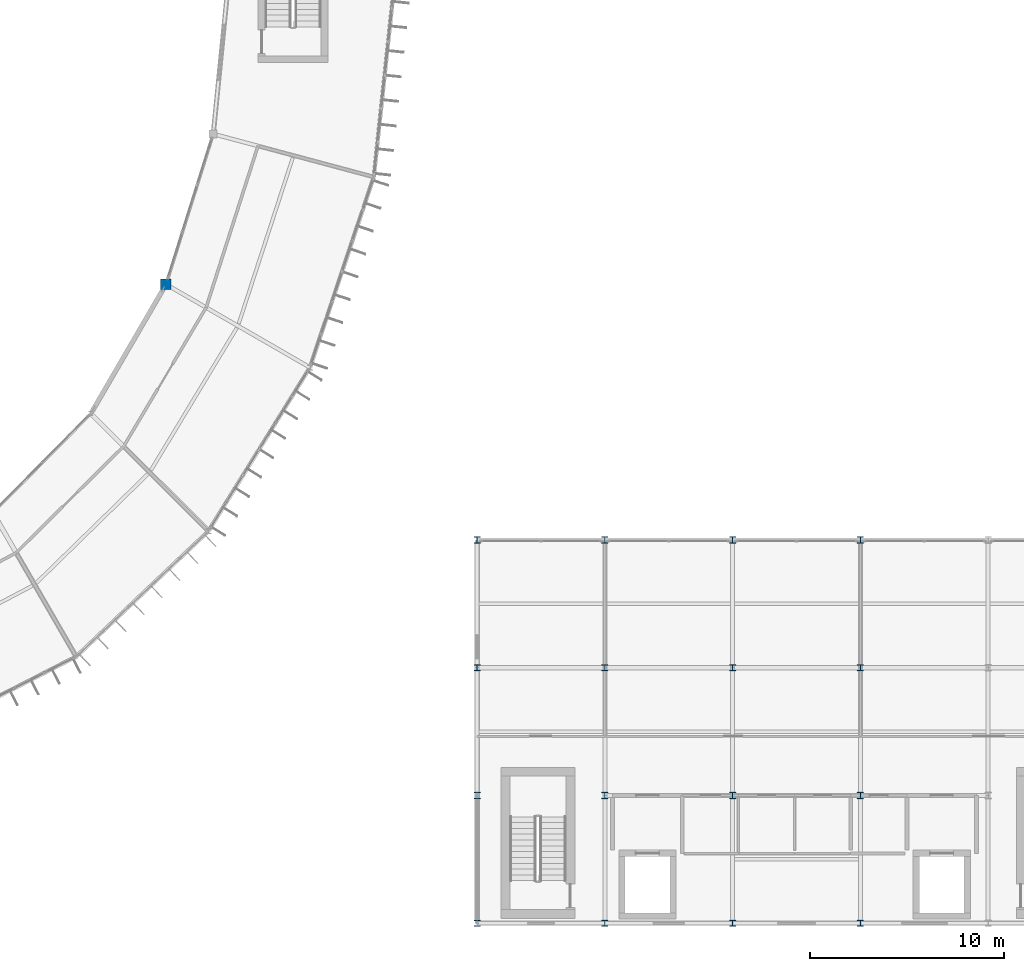
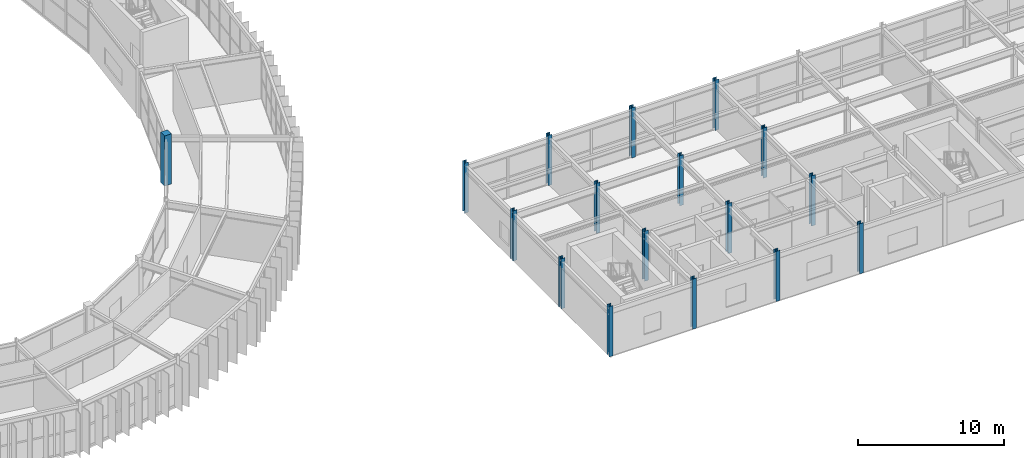
# One storey, part 8 of 134: 17 columns.
"""IFC4 building model written with IfcOpenShell, lengths in metres."""

import ifcopenshell
import ifcopenshell.guid

model = None  # the IFC model being written
_history = None  # IfcOwnerHistory: only IFC2X3 demands one
_inside = {}  # id of a spatial element -> (the spatial element, [elements in it])
_under = {}  # id of a project, library or spatial element -> (it, [spatial elements below it])
_declared = {}  # id of a project -> (the project, [libraries it declares])
_typed = {}  # id of a type object -> (the type object, [elements of that type])
_made_of = {}  # id of a material, layer set ... -> (it, [elements and type objects made of it])


def new_model(schema):
    """Start an empty IFC model of exactly this schema.

    Asked for "IFC4X3", IfcOpenShell would pick the latest addendum, in which some entities
    have other attributes; the version numbers below select the first issue.
    IFC2X3 requires an IfcOwnerHistory on every rooted entity: one is made here for all.
    """
    global model, _history
    if schema == "IFC4X3":
        model = ifcopenshell.file(schema_version=(4, 3, 0, 0))
    else:
        model = ifcopenshell.file(schema=schema)
    _inside.clear()
    _under.clear()
    _declared.clear()
    _typed.clear()
    _made_of.clear()
    _history = None
    if model.schema == "IFC2X3":
        org = make("IfcOrganization", Name="unknown")
        user = make(
            "IfcPersonAndOrganization",
            ThePerson=make("IfcPerson", FamilyName="unknown"),
            TheOrganization=org,
        )
        app = make(
            "IfcApplication",
            ApplicationDeveloper=org,
            Version="unknown",
            ApplicationFullName="unknown",
            ApplicationIdentifier="unknown",
        )
        _history = make(
            "IfcOwnerHistory",
            OwningUser=user,
            OwningApplication=app,
            ChangeAction="ADDED",
            CreationDate=0,
        )
    return model


def make(cls, **values):
    """One entity of the class cls with the attributes given. An attribute that is None is left unset."""
    return model.create_entity(
        cls, **{name: value for name, value in values.items() if value is not None}
    )


def rooted(cls, **values):
    """An entity with a GlobalId (a new one), such as an element, a storey or a relation."""
    return make(cls, GlobalId=ifcopenshell.guid.new(), OwnerHistory=_history, **values)


def si_unit(unit_type, name, prefix=None):
    """IfcSIUnit, for example si_unit("LENGTHUNIT", "METRE", prefix="MILLI")."""
    return make("IfcSIUnit", UnitType=unit_type, Prefix=prefix, Name=name)


def assignment(units):
    """IfcUnitAssignment: the units of a project."""
    return None if units is None else make("IfcUnitAssignment", Units=units)


def point(xyz):
    """IfcCartesianPoint."""
    return None if xyz is None else make("IfcCartesianPoint", Coordinates=xyz)


def direction(xyz):
    """IfcDirection."""
    return None if xyz is None else make("IfcDirection", DirectionRatios=xyz)


def frame(location, z_axis=None, x_axis=None):
    """IfcAxis2Placement3D, a coordinate frame: its origin and axes. An axis left out is left unset."""
    return make(
        "IfcAxis2Placement3D",
        Location=point(location),
        Axis=direction(z_axis),
        RefDirection=direction(x_axis),
    )


def frame_2d(location, x_axis=None):
    """IfcAxis2Placement2D, a coordinate frame in the plane: its origin and x axis."""
    return make(
        "IfcAxis2Placement2D", Location=point(location), RefDirection=direction(x_axis)
    )


def origin():
    """The frame at (0, 0, 0) with its axes left unset."""
    return frame((0.0, 0.0, 0.0))


def origin_2d():
    """The frame at (0, 0) in the plane with its x axis left unset."""
    return frame_2d((0.0, 0.0))


def place(relative_to, where):
    """IfcLocalPlacement: puts the frame where relative to a parent placement (None: the world)."""
    return make(
        "IfcLocalPlacement", PlacementRelTo=relative_to, RelativePlacement=where
    )


def context(
    kind, dimensions, precision=None, world=None, true_north=None, identifier=None
):
    """IfcGeometricRepresentationContext, for example the 3D "Model" context."""
    return make(
        "IfcGeometricRepresentationContext",
        ContextIdentifier=identifier,
        ContextType=kind,
        CoordinateSpaceDimension=dimensions,
        Precision=precision,
        WorldCoordinateSystem=world,
        TrueNorth=true_north,
    )


def subcontext(parent, identifier, kind, view, scale=None):
    """IfcGeometricRepresentationSubContext, for example "Body" below "Model"."""
    return make(
        "IfcGeometricRepresentationSubContext",
        ContextIdentifier=identifier,
        ContextType=kind,
        ParentContext=parent,
        TargetScale=scale,
        TargetView=view,
    )


def project(units=None, contexts=None):
    """IfcProject with its units and contexts."""
    return rooted(
        "IfcProject",
        Name="project",
        RepresentationContexts=contexts,
        UnitsInContext=assignment(units),
    )


def spatial(cls, under=None, at=None, **own):
    """A site, building, storey or space (cls), placed at a placement, below another one or the project."""
    s = rooted(cls, ObjectPlacement=at, **own)
    if under is not None:
        _under.setdefault(under.id(), (under, []))[1].append(s)
    return s


def profile(cls, at=None, kind="AREA", **sizes):
    """A parametric profile (cls). Its sizes go by their IFC names, for example OverallWidth=200.0."""
    return make(cls, ProfileType=kind, Position=at, **sizes)


def rectangle(**sizes):
    """IfcRectangleProfileDef."""
    return profile("IfcRectangleProfileDef", **sizes)


def i_section(**sizes):
    """IfcIShapeProfileDef."""
    return profile("IfcIShapeProfileDef", **sizes)


def extrude(swept, where, along, depth):
    """IfcExtrudedAreaSolid: the profile swept, set in the frame where, extruded along a direction by depth."""
    return make(
        "IfcExtrudedAreaSolid",
        SweptArea=swept,
        Position=where,
        ExtrudedDirection=direction(along),
        Depth=depth,
    )


def shape(context_of_items, identifier, shape_type, items):
    """IfcShapeRepresentation: the items that make up one representation, for example the "Body"."""
    return make(
        "IfcShapeRepresentation",
        ContextOfItems=context_of_items,
        RepresentationIdentifier=identifier,
        RepresentationType=shape_type,
        Items=items,
    )


def material(Name=None, Category=None):
    """IfcMaterial."""
    return make("IfcMaterial", Name=Name, Category=Category)


def material_profile(
    of_material, cross_section, Name=None, Category=None, Priority=None
):
    """IfcMaterialProfile: a cross section and its material."""
    return make(
        "IfcMaterialProfile",
        Name=Name,
        Material=of_material,
        Profile=cross_section,
        Priority=Priority,
        Category=Category,
    )


def profile_set(profiles, Name=None, composite=None):
    """IfcMaterialProfileSet."""
    return make(
        "IfcMaterialProfileSet",
        Name=Name,
        MaterialProfiles=profiles,
        CompositeProfile=composite,
    )


def made_of(thing, what):
    """Note that an element or type object is made of a material, layer set ...; save() writes the relation."""
    if what is not None:
        _made_of.setdefault(what.id(), (what, []))[1].append(thing)
    return thing


def type_object(cls, material=None, **own):
    """A type object (cls), such as IfcWallType, which elements share."""
    return made_of(rooted(cls, **own), material)


def element(
    cls,
    number,
    at=None,
    inside=None,
    cuts=None,
    type_object=None,
    material=None,
    context=None,
    identifier="Body",
    shape_type=None,
    held_by="IfcProductDefinitionShape",
    body=None,
    shapes=None,
    **own,
):
    """One element of the class cls, such as IfcWall. Its Tag is "e" and its number.

    at: its placement. inside: the storey or other place that contains it. cuts: it is an
    opening in that element (IfcRelVoidsElement). A single representation is given by context,
    identifier, shape_type and body (its items); several are given by shapes. held_by: the class
    of the entity that holds the representations. save() writes the other relations.
    """
    e = rooted(cls, Tag="e%d" % number, ObjectPlacement=at, **own)
    if body is not None:
        shapes = [shape(context, identifier, shape_type, body)]
    if shapes is not None:
        e.Representation = make(held_by, Representations=shapes)
    if inside is not None:
        _inside.setdefault(inside.id(), (inside, []))[1].append(e)
    if cuts is not None:
        rooted(
            "IfcRelVoidsElement", RelatingBuildingElement=cuts, RelatedOpeningElement=e
        )
    if type_object is not None:
        _typed.setdefault(type_object.id(), (type_object, []))[1].append(e)
    return made_of(e, material)


def aggregate(whole, parts):
    """IfcRelAggregates: a whole, such as a stair, and the parts it consists of."""
    return rooted("IfcRelAggregates", RelatingObject=whole, RelatedObjects=parts)


def save(model, path):
    """Write the relations noted so far, then the file.

    IfcRelAggregates (storeys below a building ...), IfcRelContainedInSpatialStructure (elements
    in a storey), IfcRelDefinesByType, IfcRelAssociatesMaterial and IfcRelDeclares: one each for
    every whole, place, type object, material and project.
    """
    for whole, parts in _under.values():
        aggregate(whole, parts)
    for where, things in _inside.values():
        rooted(
            "IfcRelContainedInSpatialStructure",
            RelatedElements=things,
            RelatingStructure=where,
        )
    for kind, things in _typed.values():
        rooted("IfcRelDefinesByType", RelatedObjects=things, RelatingType=kind)
    for what, things in _made_of.values():
        rooted("IfcRelAssociatesMaterial", RelatedObjects=things, RelatingMaterial=what)
    for by, libraries in _declared.values():
        rooted("IfcRelDeclares", RelatingContext=by, RelatedDefinitions=libraries)
    model.write(path)


model = new_model("IFC4")

# Units and contexts
model_context = context("Model", 3, precision=1e-05, world=origin(), true_north=direction((0.0, 1.0)))
body_context = subcontext(model_context, "Body", "Model", "MODEL_VIEW")
ifc_project = project(units=[si_unit("LENGTHUNIT", "METRE"), si_unit("AREAUNIT", "SQUARE_METRE"), si_unit("VOLUMEUNIT", "CUBIC_METRE"), si_unit("PLANEANGLEUNIT", "RADIAN"), si_unit("MASSUNIT", "GRAM", prefix="KILO")], contexts=[model_context])

# Site, building, storey
site_placement = place(None, origin())
site = spatial("IfcSite", under=ifc_project, at=site_placement, CompositionType="ELEMENT")
building_placement = place(site_placement, origin())
building = spatial("IfcBuilding", under=site, at=building_placement, Name="Karori Crest Natural Sciences Institute", CompositionType="ELEMENT")
storey_placement = place(building_placement, frame((0.0, 0.0, 21.699951171875)))
storey = spatial("IfcBuildingStorey", under=building, at=storey_placement, Name="L05", CompositionType="ELEMENT", Elevation=21.699951171875)

# Columns
ifc_material_1 = material(Name="Structural steel AS/NZS 3679.1 Grade 350", Category="steel")
ifc_material_profile_1 = material_profile(ifc_material_1, i_section(OverallWidth=0.31103515625, OverallDepth=0.326904296875, WebThickness=0.015625, FlangeThickness=0.02490234375, FilletRadius=0.01708984375, at=origin_2d()), Name="310UC158")
ifc_profile_set_1 = profile_set([ifc_material_profile_1], Name="Structural steel AS/NZS 3679.1 Grade 350")
column_type_1 = type_object("IfcColumnType", Name="CT-04", PredefinedType="COLUMN", material=ifc_profile_set_1)
for number, where, z_axis, x_axis, name in (
    (1, (103.60009765625, 0.800048828125, 0.0), (0.0, 0.0, 1.0), (1.0, 0.0, 0.0), "Column C-1023"),
    (2, (103.60009765625, 7.39990234375, 0.0), (0.0, 0.0, 1.0), (1.0, 0.0, 0.0), "Column C-1035"),
    (3, (103.60009765625, 14.0, 0.0), (0.0, 0.0, 1.0), (1.0, 0.0, 0.0), "Column C-1047"),
    (4, (103.60009765625, 20.60009765625, 0.0), (0.0, 0.0, 1.0), (1.0, 0.0, 0.0), "Column C-1059"),
    (5, (110.199951171875, 0.800048828125, 0.0), (0.0, 0.0, 1.0), (1.0, 0.0, 0.0), "Column C-1071"),
    (6, (110.199951171875, 20.60009765625, 0.0), (0.0, 0.0, 1.0), (1.0, 0.0, 0.0), "Column C-1107"),
    (7, (116.800048828125, 0.800048828125, 0.0), (0.0, 0.0, 1.0), (1.0, 0.0, 0.0), "Column C-1119"),
    (8, (116.800048828125, 20.60009765625, 0.0), (0.0, 0.0, 1.0), (1.0, 0.0, 0.0), "Column C-1155"),
    (9, (123.39990234375, 0.800048828125, 0.0), (0.0, 0.0, 1.0), (1.0, 0.0, 0.0), "Column C-1167"),
    (10, (123.39990234375, 20.60009765625, 0.0), (0.0, 0.0, 1.0), (1.0, 0.0, 0.0), "Column C-1203"),
):
    element("IfcColumn", number, at=place(storey_placement, frame(where, z_axis=z_axis, x_axis=x_axis)), inside=storey, type_object=column_type_1, Name=name, PredefinedType="COLUMN", context=body_context, shape_type="SweptSolid", body=[
        extrude(i_section(OverallWidth=0.31103515625, OverallDepth=0.326904296875, WebThickness=0.015625, FlangeThickness=0.02490234375, FilletRadius=0.01708984375, at=origin_2d()), origin(), (0.0, 0.0, 1.0), 4.199951171875),
    ])
ifc_material_profile_2 = material_profile(ifc_material_1, i_section(OverallWidth=0.31103515625, OverallDepth=0.326904296875, WebThickness=0.015625, FlangeThickness=0.02490234375, FilletRadius=0.01708984375, at=origin_2d()), Name="310UC158")
ifc_profile_set_2 = profile_set([ifc_material_profile_2], Name="Structural steel AS/NZS 3679.1 Grade 350")
column_type_2 = type_object("IfcColumnType", Name="CT-04-IL", PredefinedType="COLUMN", material=ifc_profile_set_2)
for number, where, z_axis, x_axis, name in (
    (11, (110.199951171875, 7.39990234375, 0.0), (0.0, 0.0, 1.0), (1.0, 0.0, 0.0), "Column C-1083"),
    (12, (110.199951171875, 14.0, 0.0), (0.0, 0.0, 1.0), (1.0, 0.0, 0.0), "Column C-1095"),
    (13, (116.800048828125, 7.39990234375, 0.0), (0.0, 0.0, 1.0), (1.0, 0.0, 0.0), "Column C-1131"),
    (14, (116.800048828125, 14.0, 0.0), (0.0, 0.0, 1.0), (1.0, 0.0, 0.0), "Column C-1143"),
    (15, (123.39990234375, 7.39990234375, 0.0), (0.0, 0.0, 1.0), (1.0, 0.0, 0.0), "Column C-1179"),
    (16, (123.39990234375, 14.0, 0.0), (0.0, 0.0, 1.0), (1.0, 0.0, 0.0), "Column C-1191"),
):
    element("IfcColumn", number, at=place(storey_placement, frame(where, z_axis=z_axis, x_axis=x_axis)), inside=storey, type_object=column_type_2, Name=name, PredefinedType="COLUMN", context=body_context, shape_type="SweptSolid", body=[
        extrude(i_section(OverallWidth=0.31103515625, OverallDepth=0.326904296875, WebThickness=0.015625, FlangeThickness=0.02490234375, FilletRadius=0.01708984375, at=origin_2d()), origin(), (0.0, 0.0, 1.0), 4.199951171875),
    ])
ifc_material_2 = material(Name="Concrete 50 MPa", Category="concrete")
ifc_material_profile_3 = material_profile(ifc_material_2, rectangle(XDim=0.550048828125, YDim=0.550048828125, at=origin_2d()), Name="RC550x550")
ifc_profile_set_3 = profile_set([ifc_material_profile_3], Name="Concrete 50 MPa")
column_type_3 = type_object("IfcColumnType", Name="CT-30", PredefinedType="COLUMN", material=ifc_profile_set_3)
column_placement = place(storey_placement, frame((87.531005859375, 33.800048828125, 0.0), z_axis=(0.0, 0.0, 1.0), x_axis=(1.0, 0.0, 0.0)))
element("IfcColumn", 17, at=column_placement, inside=storey, type_object=column_type_3, Name="Column C-0374", PredefinedType="COLUMN", context=body_context, shape_type="SweptSolid", body=[
    extrude(rectangle(XDim=0.550048828125, YDim=0.550048828125, at=origin_2d()), origin(), (0.0, 0.0, 1.0), 4.199951171875),
])

save(model, "model.ifc")
